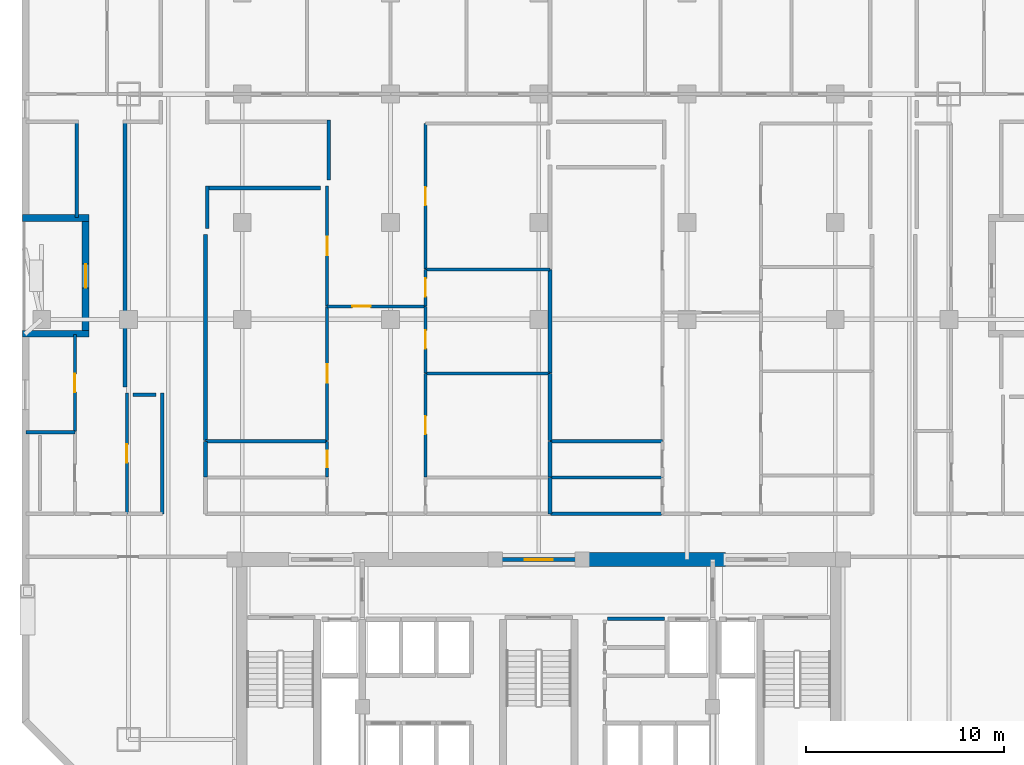
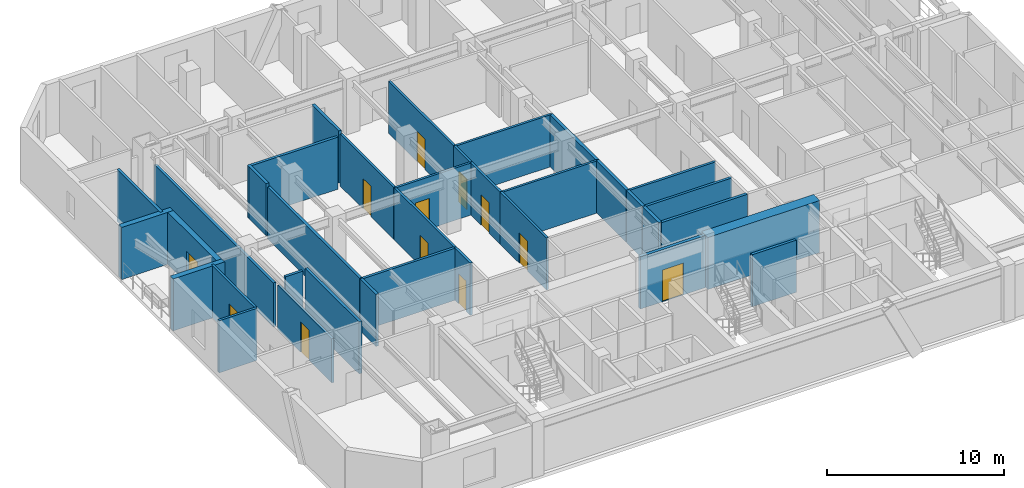
# One storey, part 4 of 10: 36 walls, 12 doors, 12 openings.
"""IFC4 building model written with IfcOpenShell, lengths in metres."""

from ifc_helpers import new_model, si_unit, direction, frame, frame_2d, origin, place, context, subcontext, project, spatial, rectangle, extrude, material, layer, layer_set, type_object, element, fill, save


model = new_model("IFC4")

# Units and contexts
model_context = context("Model", 3, precision=1e-05, world=origin(), true_north=direction((0.0, 1.0)))
body_context = subcontext(model_context, "Body", "Model", "MODEL_VIEW")
ifc_project = project(units=[si_unit("LENGTHUNIT", "METRE"), si_unit("AREAUNIT", "SQUARE_METRE"), si_unit("VOLUMEUNIT", "CUBIC_METRE"), si_unit("PLANEANGLEUNIT", "RADIAN"), si_unit("MASSUNIT", "GRAM", prefix="KILO")], contexts=[model_context])

# Site, building, storey
site_placement = place(None, origin())
site = spatial("IfcSite", under=ifc_project, at=site_placement, CompositionType="ELEMENT")
building_placement = place(site_placement, origin())
building = spatial("IfcBuilding", under=site, at=building_placement, Name="Ventersveld Concourse Tower", CompositionType="ELEMENT")
storey_placement = place(building_placement, frame((0.0, 0.0, 104.14990234375)))
storey = spatial("IfcBuildingStorey", under=building, at=storey_placement, Name="L25", CompositionType="ELEMENT", Elevation=104.14990234375)

# Walls
ifc_material_1 = material(Name="Concrete C60/75", Category="concrete")
ifc_layer_1 = layer(ifc_material_1, 0.699951171875)
ifc_layer_set_1 = layer_set([ifc_layer_1], Name="Concrete C60/75")
wall_type_1 = type_object("IfcWallType", Name="WL-CORE-700", PredefinedType="SHEAR", material=ifc_layer_set_1)
wall_1_placement = place(storey_placement, frame((30.89990234375, 11.449951171875, 0.0), z_axis=(0.0, 0.0, 1.0), x_axis=(1.0, 0.0, 0.0)))
element("IfcWall", 1, at=wall_1_placement, inside=storey, type_object=wall_type_1, Name="L25 Rear Core North Shear Wall NMR", PredefinedType="SHEAR", context=body_context, shape_type="SweptSolid", body=[
    extrude(rectangle(XDim=7.300048828125, YDim=0.699951171875, at=frame_2d((3.64990234375, 0.0))), origin(), (0.0, 0.0, 1.0), 3.60009765625),
])
ifc_material_2 = material(Name="Fire-rated autoclaved aerated masonry blockwork", Category="masonry")
ifc_layer_2 = layer(ifc_material_2, 0.179931640625)
ifc_layer_set_2 = layer_set([ifc_layer_2], Name="Fire-rated autoclaved aerated masonry blockwork")
wall_type_2 = type_object("IfcWallType", Name="WL-CORR-180", PredefinedType="PARTITIONING", material=ifc_layer_set_2)
wall_2_placement = place(storey_placement, frame((32.219970703125, 8.4599609375, 0.0), z_axis=(0.0, 0.0, 1.0), x_axis=(1.0, 0.0, 0.0)))
element("IfcWall", 2, at=wall_2_placement, inside=storey, type_object=wall_type_2, Name="L25 Core Top Wall SP-L25-CBAY1N", PredefinedType="PARTITIONING", context=body_context, shape_type="SweptSolid", body=[
    extrude(rectangle(XDim=2.880126953125, YDim=0.179931640625, at=frame_2d((1.43994140625, 0.0))), origin(), (0.0, 0.0, 1.0), 3.60009765625),
])
wall_3_placement = place(storey_placement, frame((9.7099609375, 13.764892578125, 0.0), z_axis=(0.0, 0.0, 1.0), x_axis=(0.0, 1.0, 0.0)))
element("IfcWall", 3, at=wall_3_placement, inside=storey, type_object=wall_type_2, Name="L25 Interior Partition SP-L25-COR-SP-L25-25NW-KIT", PredefinedType="PARTITIONING", context=body_context, shape_type="SweptSolid", body=[
    extrude(rectangle(XDim=6.110107421875, YDim=0.179931640625, at=frame_2d((3.05517578125, 0.0))), origin(), (0.0, 0.0, 1.0), 3.60009765625),
])
wall_4_placement = place(storey_placement, frame((11.889892578125, 15.635009765625, 0.0), z_axis=(0.0, 0.0, 1.0), x_axis=(0.0, 1.0, 0.0)))
element("IfcWall", 4, at=wall_4_placement, inside=storey, type_object=wall_type_2, Name="L25 Interior Partition SP-L25-COR-SP-L25-25N1-PWDL0", PredefinedType="PARTITIONING", context=body_context, shape_type="SweptSolid", body=[
    extrude(rectangle(XDim=1.800048828125, YDim=0.179931640625, at=frame_2d((0.89990234375, 0.0))), origin(), (0.0, 0.0, 1.0), 3.60009765625),
])
wall_5_placement = place(storey_placement, frame((11.889892578125, 17.465087890625, 0.0), z_axis=(0.0, 0.0, 1.0), x_axis=(0.0, 1.0, 0.0)))
element("IfcWall", 5, at=wall_5_placement, inside=storey, type_object=wall_type_2, Name="L25 Interior Partition SP-L25-COR-SP-L25-25N1-DENL", PredefinedType="PARTITIONING", context=body_context, shape_type="SweptSolid", body=[
    extrude(rectangle(XDim=10.429931640625, YDim=0.179931640625, at=frame_2d((5.21484375, 0.0))), origin(), (0.0, 0.0, 1.0), 3.60009765625),
])
wall_6_placement = place(storey_placement, frame((29.34912109375, 13.77001953125, 0.0), z_axis=(0.0, 0.0, 1.0), x_axis=(1.0, 0.0, 0.0)))
element("IfcWall", 6, at=wall_6_placement, inside=storey, type_object=wall_type_2, Name="L25 Interior Partition SP-L25-COR-SP-L25-25N2-BATH", PredefinedType="PARTITIONING", context=body_context, shape_type="SweptSolid", body=[
    extrude(rectangle(XDim=5.62158203125, YDim=0.179931640625, at=frame_2d((2.810791015625, 0.0))), origin(), (0.0, 0.0, 1.0), 3.60009765625),
])
wall_7_placement = place(storey_placement, frame((5.372314453125, 28.760009765625, 0.0), z_axis=(0.0, 0.0, 1.0), x_axis=(0.0, 1.0, 0.0)))
element("IfcWall", 7, at=wall_7_placement, inside=storey, type_object=wall_type_2, Name="L25 Room Enclosure Wall SP-L25-25NW-LIV", PredefinedType="PARTITIONING", context=body_context, shape_type="SweptSolid", body=[
    extrude(rectangle(XDim=4.925048828125, YDim=0.179931640625, at=frame_2d((2.46240234375, 0.0))), origin(), (0.0, 0.0, 1.0), 3.60009765625),
])
wall_8_placement = place(storey_placement, frame((7.818359375, 33.68505859375, 0.0), z_axis=(0.0, 0.0, 1.0), x_axis=(0.0, -1.0, 0.0)))
element("IfcWall", 8, at=wall_8_placement, inside=storey, type_object=wall_type_2, Name="L25 Room Enclosure Wall SP-L25-25NW-LIV", PredefinedType="PARTITIONING", context=body_context, shape_type="SweptSolid", body=[
    extrude(rectangle(XDim=13.4951171875, YDim=0.179931640625, at=frame_2d((6.74755859375, 0.0))), origin(), (0.0, 0.0, 1.0), 3.0556640625),
])
wall_9_placement = place(storey_placement, frame((8.2333984375, 19.780029296875, 0.0), z_axis=(0.0, 0.0, 1.0), x_axis=(1.0, 0.0, 0.0)))
element("IfcWall", 9, at=wall_9_placement, inside=storey, type_object=wall_type_2, Name="L25 Room Enclosure Wall SP-L25-25NW-KIT", PredefinedType="PARTITIONING", context=body_context, shape_type="SweptSolid", body=[
    extrude(rectangle(XDim=1.151611328125, YDim=0.179931640625, at=frame_2d((0.57568359375, 0.0))), origin(), (0.0, 0.0, 1.0), 3.60009765625),
])
wall_10_placement = place(storey_placement, frame((18.13037109375, 30.65966796875, 0.0), z_axis=(0.0, 0.0, 1.0), x_axis=(0.0, 1.0, 0.0)))
element("IfcWall", 10, at=wall_10_placement, inside=storey, type_object=wall_type_2, Name="L25 Room Enclosure Wall SP-L25-25N1-LIV", PredefinedType="PARTITIONING", context=body_context, shape_type="SweptSolid", body=[
    extrude(rectangle(XDim=3.025390625, YDim=0.179931640625, at=frame_2d((1.5126953125, 0.0))), origin(), (0.0, 0.0, 1.0), 3.60009765625),
])
wall_11_placement = place(storey_placement, frame((11.885009765625, 30.249755859375, 0.0), z_axis=(0.0, 0.0, 1.0), x_axis=(1.0, 0.0, 0.0)))
element("IfcWall", 11, at=wall_11_placement, inside=storey, type_object=wall_type_2, Name="L25 Room Enclosure Wall SP-L25-25N1-DENL", PredefinedType="PARTITIONING", context=body_context, shape_type="SweptSolid", body=[
    extrude(rectangle(XDim=5.830322265625, YDim=0.179931640625, at=frame_2d((2.9150390625, 0.0))), origin(), (0.0, 0.0, 1.0), 3.60009765625),
])
wall_12_placement = place(storey_placement, frame((11.97998046875, 28.2099609375, 0.0), z_axis=(0.0, 0.0, 1.0), x_axis=(0.0, 1.0, 0.0)))
element("IfcWall", 12, at=wall_12_placement, inside=storey, type_object=wall_type_2, Name="L25 Room Enclosure Wall SP-L25-25N1-DENL", PredefinedType="PARTITIONING", context=body_context, shape_type="SweptSolid", body=[
    extrude(rectangle(XDim=2.134765625, YDim=0.179931640625, at=frame_2d((1.0673828125, 0.0))), origin(), (0.0, 0.0, 1.0), 3.60009765625),
])
ifc_layer_3 = layer(ifc_material_2, 0.199951171875)
ifc_layer_set_3 = layer_set([ifc_layer_3], Name="Fire-rated autoclaved aerated masonry blockwork")
wall_type_3 = type_object("IfcWallType", Name="WL-DEMISE-200", PredefinedType="PARTITIONING", material=ifc_layer_set_3)
wall_13_placement = place(storey_placement, frame((29.314208984375, 13.764892578125, 0.0), z_axis=(0.0, 0.0, 1.0), x_axis=(0.0, 1.0, 0.0)))
element("IfcWall", 13, at=wall_13_placement, inside=storey, type_object=wall_type_3, Name="L25 Interior Partition SP-L25-25N1-KIT-SP-L25-25N2-BATH", PredefinedType="PARTITIONING", context=body_context, shape_type="SweptSolid", body=[
    extrude(rectangle(XDim=1.840087890625, YDim=0.199951171875, at=frame_2d((0.919921875, 0.0))), origin(), (0.0, 0.0, 1.0), 3.60009765625),
])
wall_14_placement = place(storey_placement, frame((29.314208984375, 15.635009765625, 0.0), z_axis=(0.0, 0.0, 1.0), x_axis=(0.0, 1.0, 0.0)))
element("IfcWall", 14, at=wall_14_placement, inside=storey, type_object=wall_type_3, Name="L25 Interior Partition SP-L25-25N1-DENR-SP-L25-25N2-PWDL0", PredefinedType="PARTITIONING", context=body_context, shape_type="SweptSolid", body=[
    extrude(rectangle(XDim=1.800048828125, YDim=0.199951171875, at=frame_2d((0.89990234375, 0.0))), origin(), (0.0, 0.0, 1.0), 3.60009765625),
])
wall_15_placement = place(storey_placement, frame((29.314208984375, 17.465087890625, 0.0), z_axis=(0.0, 0.0, 1.0), x_axis=(0.0, 1.0, 0.0)))
element("IfcWall", 15, at=wall_15_placement, inside=storey, type_object=wall_type_3, Name="L25 Interior Partition SP-L25-25N1-DENR-SP-L25-25N2-DENL", PredefinedType="PARTITIONING", context=body_context, shape_type="SweptSolid", body=[
    extrude(rectangle(XDim=3.403564453125, YDim=0.199951171875, at=frame_2d((1.70166015625, 0.0))), origin(), (0.0, 0.0, 1.0), 3.60009765625),
])
wall_16_placement = place(storey_placement, frame((29.314208984375, 20.898681640625, 0.0), z_axis=(0.0, 0.0, 1.0), x_axis=(0.0, 1.0, 0.0)))
element("IfcWall", 16, at=wall_16_placement, inside=storey, type_object=wall_type_3, Name="L25 Interior Partition SP-L25-25N1-DENS-SP-L25-25N2-DENL", PredefinedType="PARTITIONING", context=body_context, shape_type="SweptSolid", body=[
    extrude(rectangle(XDim=5.233642578125, YDim=0.199951171875, at=frame_2d((2.61669921875, 0.0))), origin(), (0.0, 0.0, 1.0), 3.60009765625),
])

# Wall, opening, door
ifc_layer_4 = layer(ifc_material_2, 0.219970703125)
ifc_layer_set_4 = layer_set([ifc_layer_4], Name="Fire-rated autoclaved aerated masonry blockwork")
wall_type_4 = type_object("IfcWallType", Name="WL-HOIST-220", PredefinedType="SOLIDWALL", material=ifc_layer_set_4)
wall_17_placement = place(storey_placement, frame((26.6298828125, 11.449951171875, 0.0), z_axis=(0.0, 0.0, 1.0), x_axis=(1.0, 0.0, 0.0)))
wall_17 = element("IfcWall", 17, at=wall_17_placement, inside=storey, type_object=wall_type_4, Name="L25 Core North Fire Portal PLOB-OUT", PredefinedType="SOLIDWALL", context=body_context, shape_type="SweptSolid", body=[
    extrude(rectangle(XDim=4.240234375, YDim=0.219970703125, at=frame_2d((2.1201171875, 0.0))), origin(), (0.0, 0.0, 1.0), 3.60009765625),
])
opening_1_placement = place(wall_17_placement, frame((1.419921875, 0.0, 0.0)))
opening_1 = element("IfcOpeningElement", 18, at=opening_1_placement, cuts=wall_17, Name="Opening FD4", PredefinedType="OPENING", context=body_context, shape_type="SweptSolid", body=[
    extrude(rectangle(XDim=1.39990234375, YDim=2.199951171875, at=frame_2d((0.699951171875, 1.10009765625))), frame((0.0, 0.1201171875, 0.0), z_axis=(0.0, -1.0, 0.0), x_axis=(1.0, 0.0, 0.0)), (0.0, 0.0, 1.0), 0.239990234375),
])
ifc_material_3 = material(Name="Galvanised painted steel", Category="steel")
door_type_1 = type_object("IfcDoorType", Name="DR-PLANT-140", OperationType="DOUBLE_DOOR_SINGLE_SWING", PredefinedType="DOOR", material=ifc_material_3)
door_1_placement = place(opening_1_placement, origin())
door_1 = element("IfcDoor", 19, at=door_1_placement, inside=storey, type_object=door_type_1, Name="L25 Core Lobby Fire Door PLOB-OUT (FD-L25-1215)", OperationType="DOUBLE_DOOR_SINGLE_SWING", OverallHeight=2.199951171875, OverallWidth=1.39990234375, PredefinedType="DOOR", context=body_context, shape_type="SweptSolid", body=[
    extrude(rectangle(XDim=1.39990234375, YDim=2.199951171875, at=frame_2d((0.699951171875, 1.10009765625))), frame((0.0, 0.02490234375, 0.0), z_axis=(0.0, -1.0, 0.0), x_axis=(1.0, 0.0, 0.0)), (0.0, 0.0, 1.0), 0.050048828125),
])
fill(opening_1, door_1)

ifc_material_4 = material(Name="Autoclaved aerated masonry blockwork", Category="masonry")
ifc_layer_5 = layer(ifc_material_4, 0.14990234375)
ifc_layer_set_5 = layer_set([ifc_layer_5], Name="Autoclaved aerated masonry blockwork")
wall_type_5 = type_object("IfcWallType", Name="WL-INT-150", PredefinedType="PARTITIONING", material=ifc_layer_set_5)
wall_18_placement = place(storey_placement, frame((5.282470703125, 17.931396484375, 0.0), z_axis=(0.0, 0.0, 1.0), x_axis=(0.0, 1.0, 0.0)))
wall_18 = element("IfcWall", 20, at=wall_18_placement, inside=storey, type_object=wall_type_5, Name="L25 Interior Partition SP-L25-25NW-LIV-SP-L25-25NW-MEDL0", PredefinedType="PARTITIONING", context=body_context, shape_type="SweptSolid", body=[
    extrude(rectangle(XDim=4.90869140625, YDim=0.14990234375, at=frame_2d((2.454345703125, 0.0))), origin(), (0.0, 0.0, 1.0), 3.60009765625),
])
opening_2_placement = place(wall_18_placement, frame((1.994384765625, 0.0, 0.0)))
opening_2 = element("IfcOpeningElement", 21, at=opening_2_placement, cuts=wall_18, Name="Opening ID1", PredefinedType="OPENING", context=body_context, shape_type="SweptSolid", body=[
    extrude(rectangle(XDim=0.919921875, YDim=2.10009765625, at=frame_2d((0.4599609375, 1.050048828125))), frame((0.0, 0.0849609375, 0.0), z_axis=(0.0, -1.0, 0.0), x_axis=(1.0, 0.0, 0.0)), (0.0, 0.0, 1.0), 0.169921875),
])
ifc_material_5 = material(Name="Solid-core hardwood veneer timber", Category="wood")
door_type_2 = type_object("IfcDoorType", Name="DR-ROOM-092", OperationType="NOTDEFINED", PredefinedType="DOOR", material=ifc_material_5)
door_2_placement = place(opening_2_placement, origin())
door_2 = element("IfcDoor", 22, at=door_2_placement, inside=storey, type_object=door_type_2, Name="L25 Interior Door SP-L25-25NW-LIV to SP-L25-25NW-MEDL0 (D-L25-1227)", OperationType="SINGLE_SWING_LEFT", OverallHeight=2.10009765625, OverallWidth=0.919921875, PredefinedType="DOOR", context=body_context, shape_type="SweptSolid", body=[
    extrude(rectangle(XDim=0.919921875, YDim=2.10009765625, at=frame_2d((0.4599609375, 1.050048828125))), frame((0.0, 0.02490234375, 0.0), z_axis=(0.0, -1.0, 0.0), x_axis=(1.0, 0.0, 0.0)), (0.0, 0.0, 1.0), 0.050048828125),
])
fill(opening_2, door_2)

wall_19_placement = place(storey_placement, frame((7.908447265625, 13.764892578125, 0.0), z_axis=(0.0, 0.0, 1.0), x_axis=(0.0, 1.0, 0.0)))
wall_19 = element("IfcWall", 23, at=wall_19_placement, inside=storey, type_object=wall_type_5, Name="L25 Interior Partition SP-L25-25NW-LIV-SP-L25-25NW-KIT", PredefinedType="PARTITIONING", context=body_context, shape_type="SweptSolid", body=[
    extrude(rectangle(XDim=6.110107421875, YDim=0.14990234375, at=frame_2d((3.05517578125, 0.0))), origin(), (0.0, 0.0, 1.0), 3.0556640625),
])
opening_3_placement = place(wall_19_placement, frame((2.594970703125, 0.0, 0.0)))
opening_3 = element("IfcOpeningElement", 24, at=opening_3_placement, cuts=wall_19, Name="Opening ID1", PredefinedType="OPENING", context=body_context, shape_type="SweptSolid", body=[
    extrude(rectangle(XDim=0.919921875, YDim=2.10009765625, at=frame_2d((0.4599609375, 1.050048828125))), frame((0.0, 0.0849609375, 0.0), z_axis=(0.0, -1.0, 0.0), x_axis=(1.0, 0.0, 0.0)), (0.0, 0.0, 1.0), 0.169921875),
])
door_3_placement = place(opening_3_placement, origin())
door_3 = element("IfcDoor", 25, at=door_3_placement, inside=storey, type_object=door_type_2, Name="L25 Interior Door SP-L25-25NW-LIV to SP-L25-25NW-KIT (D-L25-1228)", OperationType="SINGLE_SWING_RIGHT", OverallHeight=2.10009765625, OverallWidth=0.919921875, PredefinedType="DOOR", context=body_context, shape_type="SweptSolid", body=[
    extrude(rectangle(XDim=0.919921875, YDim=2.10009765625, at=frame_2d((0.4599609375, 1.050048828125))), frame((0.0, 0.02490234375, 0.0), z_axis=(0.0, -1.0, 0.0), x_axis=(1.0, 0.0, 0.0)), (0.0, 0.0, 1.0), 0.050048828125),
])
fill(opening_3, door_3)

wall_20_placement = place(storey_placement, frame((18.035400390625, 24.255615234375, 0.0), z_axis=(0.0, 0.0, 1.0), x_axis=(1.0, 0.0, 0.0)))
wall_20 = element("IfcWall", 26, at=wall_20_placement, inside=storey, type_object=wall_type_5, Name="L25 Interior Partition SP-L25-25N1-FOY-SP-L25-25N1-LIV", PredefinedType="PARTITIONING", context=body_context, shape_type="SweptSolid", body=[
    extrude(rectangle(XDim=4.989990234375, YDim=0.14990234375, at=frame_2d((2.4951171875, 0.0))), origin(), (0.0, 0.0, 1.0), 3.60009765625),
])
opening_4_placement = place(wall_20_placement, frame((1.28662109375, 0.0, 0.0)))
opening_4 = element("IfcOpeningElement", 27, at=opening_4_placement, cuts=wall_20, Name="Opening ID1", PredefinedType="OPENING", context=body_context, shape_type="SweptSolid", body=[
    extrude(rectangle(XDim=0.919921875, YDim=2.10009765625, at=frame_2d((0.4599609375, 1.050048828125))), frame((0.0, 0.0849609375, 0.0), z_axis=(0.0, -1.0, 0.0), x_axis=(1.0, 0.0, 0.0)), (0.0, 0.0, 1.0), 0.169921875),
])
door_4_placement = place(opening_4_placement, origin())
door_4 = element("IfcDoor", 28, at=door_4_placement, inside=storey, type_object=door_type_2, Name="L25 Interior Door SP-L25-25N1-FOY to SP-L25-25N1-LIV (D-L25-1236)", OperationType="SINGLE_SWING_RIGHT", OverallHeight=2.10009765625, OverallWidth=0.919921875, PredefinedType="DOOR", context=body_context, shape_type="SweptSolid", body=[
    extrude(rectangle(XDim=0.919921875, YDim=2.10009765625, at=frame_2d((0.4599609375, 1.050048828125))), frame((0.0, 0.02490234375, 0.0), z_axis=(0.0, -1.0, 0.0), x_axis=(1.0, 0.0, 0.0)), (0.0, 0.0, 1.0), 0.050048828125),
])
fill(opening_4, door_4)

wall_21_placement = place(storey_placement, frame((18.040283203125, 17.465087890625, 0.0), z_axis=(0.0, 0.0, 1.0), x_axis=(0.0, 1.0, 0.0)))
wall_21 = element("IfcWall", 29, at=wall_21_placement, inside=storey, type_object=wall_type_5, Name="L25 Interior Partition SP-L25-25N1-FOY-SP-L25-25N1-DENL", PredefinedType="PARTITIONING", context=body_context, shape_type="SweptSolid", body=[
    extrude(rectangle(XDim=6.79541015625, YDim=0.14990234375, at=frame_2d((3.397705078125, 0.0))), origin(), (0.0, 0.0, 1.0), 3.60009765625),
])
opening_5_placement = place(wall_21_placement, frame((2.937744140625, 0.0, 0.0)))
opening_5 = element("IfcOpeningElement", 30, at=opening_5_placement, cuts=wall_21, Name="Opening ID1", PredefinedType="OPENING", context=body_context, shape_type="SweptSolid", body=[
    extrude(rectangle(XDim=0.919921875, YDim=2.10009765625, at=frame_2d((0.4599609375, 1.050048828125))), frame((0.0, 0.0849609375, 0.0), z_axis=(0.0, -1.0, 0.0), x_axis=(1.0, 0.0, 0.0)), (0.0, 0.0, 1.0), 0.169921875),
])
door_5_placement = place(opening_5_placement, origin())
door_5 = element("IfcDoor", 31, at=door_5_placement, inside=storey, type_object=door_type_2, Name="L25 Interior Door SP-L25-25N1-FOY to SP-L25-25N1-DENL (D-L25-1239)", OperationType="SINGLE_SWING_LEFT", OverallHeight=2.10009765625, OverallWidth=0.919921875, PredefinedType="DOOR", context=body_context, shape_type="SweptSolid", body=[
    extrude(rectangle(XDim=0.919921875, YDim=2.10009765625, at=frame_2d((0.4599609375, 1.050048828125))), frame((0.0, 0.02490234375, 0.0), z_axis=(0.0, -1.0, 0.0), x_axis=(1.0, 0.0, 0.0)), (0.0, 0.0, 1.0), 0.050048828125),
])
fill(opening_5, door_5)

wall_22_placement = place(storey_placement, frame((23.020263671875, 15.635009765625, 0.0), z_axis=(0.0, 0.0, 1.0), x_axis=(0.0, 1.0, 0.0)))
wall_22 = element("IfcWall", 32, at=wall_22_placement, inside=storey, type_object=wall_type_5, Name="L25 Interior Partition SP-L25-25N1-FOY-SP-L25-25N1-DENR", PredefinedType="PARTITIONING", context=body_context, shape_type="SweptSolid", body=[
    extrude(rectangle(XDim=5.233642578125, YDim=0.14990234375, at=frame_2d((2.61669921875, 0.0))), origin(), (0.0, 0.0, 1.0), 3.60009765625),
])
opening_6_placement = place(wall_22_placement, frame((2.156982421875, 0.0, 0.0)))
opening_6 = element("IfcOpeningElement", 33, at=opening_6_placement, cuts=wall_22, Name="Opening ID1", PredefinedType="OPENING", context=body_context, shape_type="SweptSolid", body=[
    extrude(rectangle(XDim=0.919921875, YDim=2.10009765625, at=frame_2d((0.4599609375, 1.050048828125))), frame((0.0, 0.0849609375, 0.0), z_axis=(0.0, -1.0, 0.0), x_axis=(1.0, 0.0, 0.0)), (0.0, 0.0, 1.0), 0.169921875),
])
door_6_placement = place(opening_6_placement, origin())
door_6 = element("IfcDoor", 34, at=door_6_placement, inside=storey, type_object=door_type_2, Name="L25 Interior Door SP-L25-25N1-FOY to SP-L25-25N1-DENR (D-L25-1241)", OperationType="SINGLE_SWING_LEFT", OverallHeight=2.10009765625, OverallWidth=0.919921875, PredefinedType="DOOR", context=body_context, shape_type="SweptSolid", body=[
    extrude(rectangle(XDim=0.919921875, YDim=2.10009765625, at=frame_2d((0.4599609375, 1.050048828125))), frame((0.0, 0.02490234375, 0.0), z_axis=(0.0, -1.0, 0.0), x_axis=(1.0, 0.0, 0.0)), (0.0, 0.0, 1.0), 0.050048828125),
])
fill(opening_6, door_6)

wall_23_placement = place(storey_placement, frame((23.020263671875, 20.898681640625, 0.0), z_axis=(0.0, 0.0, 1.0), x_axis=(0.0, 1.0, 0.0)))
wall_23 = element("IfcWall", 35, at=wall_23_placement, inside=storey, type_object=wall_type_5, Name="L25 Interior Partition SP-L25-25N1-FOY-SP-L25-25N1-DENS", PredefinedType="PARTITIONING", context=body_context, shape_type="SweptSolid", body=[
    extrude(rectangle(XDim=3.36181640625, YDim=0.14990234375, at=frame_2d((1.680908203125, 0.0))), origin(), (0.0, 0.0, 1.0), 3.60009765625),
])
opening_7_placement = place(wall_23_placement, frame((1.220947265625, 0.0, 0.0)))
opening_7 = element("IfcOpeningElement", 36, at=opening_7_placement, cuts=wall_23, Name="Opening ID1", PredefinedType="OPENING", context=body_context, shape_type="SweptSolid", body=[
    extrude(rectangle(XDim=0.919921875, YDim=2.10009765625, at=frame_2d((0.4599609375, 1.050048828125))), frame((0.0, 0.0849609375, 0.0), z_axis=(0.0, -1.0, 0.0), x_axis=(1.0, 0.0, 0.0)), (0.0, 0.0, 1.0), 0.169921875),
])
door_7_placement = place(opening_7_placement, origin())
door_7 = element("IfcDoor", 37, at=door_7_placement, inside=storey, type_object=door_type_2, Name="L25 Interior Door SP-L25-25N1-FOY to SP-L25-25N1-DENS (D-L25-1242)", OperationType="SINGLE_SWING_RIGHT", OverallHeight=2.10009765625, OverallWidth=0.919921875, PredefinedType="DOOR", context=body_context, shape_type="SweptSolid", body=[
    extrude(rectangle(XDim=0.919921875, YDim=2.10009765625, at=frame_2d((0.4599609375, 1.050048828125))), frame((0.0, 0.02490234375, 0.0), z_axis=(0.0, -1.0, 0.0), x_axis=(1.0, 0.0, 0.0)), (0.0, 0.0, 1.0), 0.050048828125),
])
fill(opening_7, door_7)

wall_24_placement = place(storey_placement, frame((18.040283203125, 24.29052734375, 0.0), z_axis=(0.0, 0.0, 1.0), x_axis=(0.0, 1.0, 0.0)))
wall_24 = element("IfcWall", 38, at=wall_24_placement, inside=storey, type_object=wall_type_5, Name="L25 Interior Partition SP-L25-25N1-LIV-SP-L25-25N1-DENL", PredefinedType="PARTITIONING", context=body_context, shape_type="SweptSolid", body=[
    extrude(rectangle(XDim=6.05419921875, YDim=0.14990234375, at=frame_2d((3.027099609375, 0.0))), origin(), (0.0, 0.0, 1.0), 3.60009765625),
])
opening_8_placement = place(wall_24_placement, frame((2.567138671875, 0.0, 0.0)))
opening_8 = element("IfcOpeningElement", 39, at=opening_8_placement, cuts=wall_24, Name="Opening ID1", PredefinedType="OPENING", context=body_context, shape_type="SweptSolid", body=[
    extrude(rectangle(XDim=0.919921875, YDim=2.10009765625, at=frame_2d((0.4599609375, 1.050048828125))), frame((0.0, 0.0849609375, 0.0), z_axis=(0.0, -1.0, 0.0), x_axis=(1.0, 0.0, 0.0)), (0.0, 0.0, 1.0), 0.169921875),
])
door_8_placement = place(opening_8_placement, origin())
door_8 = element("IfcDoor", 40, at=door_8_placement, inside=storey, type_object=door_type_2, Name="L25 Interior Door SP-L25-25N1-LIV to SP-L25-25N1-DENL (D-L25-1243)", OperationType="SINGLE_SWING_LEFT", OverallHeight=2.10009765625, OverallWidth=0.919921875, PredefinedType="DOOR", context=body_context, shape_type="SweptSolid", body=[
    extrude(rectangle(XDim=0.919921875, YDim=2.10009765625, at=frame_2d((0.4599609375, 1.050048828125))), frame((0.0, 0.02490234375, 0.0), z_axis=(0.0, -1.0, 0.0), x_axis=(1.0, 0.0, 0.0)), (0.0, 0.0, 1.0), 0.050048828125),
])
fill(opening_8, door_8)

wall_25_placement = place(storey_placement, frame((23.020263671875, 24.29052734375, 0.0), z_axis=(0.0, 0.0, 1.0), x_axis=(0.0, 1.0, 0.0)))
wall_25 = element("IfcWall", 41, at=wall_25_placement, inside=storey, type_object=wall_type_5, Name="L25 Interior Partition SP-L25-25N1-LIV-SP-L25-25N1-DENS", PredefinedType="PARTITIONING", context=body_context, shape_type="SweptSolid", body=[
    extrude(rectangle(XDim=1.841796875, YDim=0.14990234375, at=frame_2d((0.9208984375, 0.0))), origin(), (0.0, 0.0, 1.0), 3.60009765625),
])
opening_9_placement = place(wall_25_placement, frame((0.4609375, 0.0, 0.0)))
opening_9 = element("IfcOpeningElement", 42, at=opening_9_placement, cuts=wall_25, Name="Opening ID1", PredefinedType="OPENING", context=body_context, shape_type="SweptSolid", body=[
    extrude(rectangle(XDim=0.919921875, YDim=2.10009765625, at=frame_2d((0.4599609375, 1.050048828125))), frame((0.0, 0.0849609375, 0.0), z_axis=(0.0, -1.0, 0.0), x_axis=(1.0, 0.0, 0.0)), (0.0, 0.0, 1.0), 0.169921875),
])
door_9_placement = place(opening_9_placement, origin())
door_9 = element("IfcDoor", 43, at=door_9_placement, inside=storey, type_object=door_type_2, Name="L25 Interior Door SP-L25-25N1-LIV to SP-L25-25N1-DENS (D-L25-1244)", OperationType="SINGLE_SWING_RIGHT", OverallHeight=2.10009765625, OverallWidth=0.919921875, PredefinedType="DOOR", context=body_context, shape_type="SweptSolid", body=[
    extrude(rectangle(XDim=0.919921875, YDim=2.10009765625, at=frame_2d((0.4599609375, 1.050048828125))), frame((0.0, 0.02490234375, 0.0), z_axis=(0.0, -1.0, 0.0), x_axis=(1.0, 0.0, 0.0)), (0.0, 0.0, 1.0), 0.050048828125),
])
fill(opening_9, door_9)

wall_26_placement = place(storey_placement, frame((23.020263671875, 26.162353515625, 0.0), z_axis=(0.0, 0.0, 1.0), x_axis=(0.0, 1.0, 0.0)))
wall_26 = element("IfcWall", 44, at=wall_26_placement, inside=storey, type_object=wall_type_5, Name="L25 Interior Partition SP-L25-25N1-LIV-SP-L25-25N1-DENS2", PredefinedType="PARTITIONING", context=body_context, shape_type="SweptSolid", body=[
    extrude(rectangle(XDim=7.342529296875, YDim=0.14990234375, at=frame_2d((3.67138671875, 0.0))), origin(), (0.0, 0.0, 1.0), 3.60009765625),
])
opening_10_placement = place(wall_26_placement, frame((3.211181640625, 0.0, 0.0)))
opening_10 = element("IfcOpeningElement", 45, at=opening_10_placement, cuts=wall_26, Name="Opening ID1", PredefinedType="OPENING", context=body_context, shape_type="SweptSolid", body=[
    extrude(rectangle(XDim=0.919921875, YDim=2.10009765625, at=frame_2d((0.4599609375, 1.050048828125))), frame((0.0, 0.0849609375, 0.0), z_axis=(0.0, -1.0, 0.0), x_axis=(1.0, 0.0, 0.0)), (0.0, 0.0, 1.0), 0.169921875),
])
door_10_placement = place(opening_10_placement, origin())
door_10 = element("IfcDoor", 46, at=door_10_placement, inside=storey, type_object=door_type_2, Name="L25 Interior Door SP-L25-25N1-LIV to SP-L25-25N1-DENS2 (D-L25-1245)", OperationType="SINGLE_SWING_LEFT", OverallHeight=2.10009765625, OverallWidth=0.919921875, PredefinedType="DOOR", context=body_context, shape_type="SweptSolid", body=[
    extrude(rectangle(XDim=0.919921875, YDim=2.10009765625, at=frame_2d((0.4599609375, 1.050048828125))), frame((0.0, 0.02490234375, 0.0), z_axis=(0.0, -1.0, 0.0), x_axis=(1.0, 0.0, 0.0)), (0.0, 0.0, 1.0), 0.050048828125),
])
fill(opening_10, door_10)

# Walls
for number, where, z_axis, x_axis, name in (
    (47, (23.015380859375, 20.86376953125, 0.0), (0.0, 0.0, 1.0), (1.0, 0.0, 0.0), "L25 Interior Partition SP-L25-25N1-DENR-SP-L25-25N1-DENS"),
    (48, (23.015380859375, 26.12744140625, 0.0), (0.0, 0.0, 1.0), (1.0, 0.0, 0.0), "L25 Interior Partition SP-L25-25N1-DENS-SP-L25-25N1-DENS2"),
):
    element("IfcWall", number, at=place(storey_placement, frame(where, z_axis=z_axis, x_axis=x_axis)), inside=storey, type_object=wall_type_5, Name=name, PredefinedType="PARTITIONING", context=body_context, shape_type="SweptSolid", body=[
        extrude(rectangle(XDim=6.3037109375, YDim=0.14990234375, at=frame_2d((3.15185546875, 0.0))), origin(), (0.0, 0.0, 1.0), 3.60009765625),
    ])
ifc_material_6 = material(Name="Precast concrete C45/55", Category="concrete")
ifc_layer_6 = layer(ifc_material_6, 0.35009765625)
ifc_layer_set_6 = layer_set([ifc_layer_6], Name="Precast concrete C45/55")
wall_type_6 = type_object("IfcWallType", Name="WL-PREC-350", PredefinedType="SOLIDWALL", material=ifc_layer_set_6)
wall_27_placement = place(storey_placement, frame((2.639892578125, 28.72509765625, 0.0), z_axis=(0.0, 0.0, 1.0), x_axis=(1.0, 0.0, 0.0)))
element("IfcWall", 49, at=wall_27_placement, inside=storey, type_object=wall_type_6, Name="L25 Highveld Precast Facade Wall E12", PredefinedType="SOLIDWALL", context=body_context, shape_type="SweptSolid", body=[
    extrude(rectangle(XDim=3.360107421875, YDim=0.35009765625, at=frame_2d((1.68017578125, 0.0))), origin(), (0.0, 0.0, 1.0), 3.60009765625),
])

# Wall, opening, door
wall_28_placement = place(storey_placement, frame((5.824951171875, 28.550048828125, 0.0), z_axis=(0.0, 0.0, 1.0), x_axis=(0.0, -1.0, 0.0)))
wall_28 = element("IfcWall", 50, at=wall_28_placement, inside=storey, type_object=wall_type_6, Name="L25 Highveld Precast Facade Wall E13", PredefinedType="SOLIDWALL", context=body_context, shape_type="SweptSolid", body=[
    extrude(rectangle(XDim=5.5, YDim=0.35009765625, at=frame_2d((2.75, 0.0))), origin(), (0.0, 0.0, 1.0), 3.60009765625),
])
opening_11_placement = place(wall_28_placement, frame((2.14990234375, 0.0, 0.0)))
opening_11 = element("IfcOpeningElement", 51, at=opening_11_placement, cuts=wall_28, Name="Opening TD1", PredefinedType="OPENING", context=body_context, shape_type="SweptSolid", body=[
    extrude(rectangle(XDim=1.199951171875, YDim=2.199951171875, at=frame_2d((0.60009765625, 1.10009765625))), frame((0.0, 0.18505859375, 0.0), z_axis=(0.0, -1.0, 0.0), x_axis=(1.0, 0.0, 0.0)), (0.0, 0.0, 1.0), 0.3701171875),
])
ifc_material_7 = material(Name="Anodised aluminium EN AW-6063-T6", Category="aluminium")
door_type_3 = type_object("IfcDoorType", Name="DR-TERR-120", OperationType="NOTDEFINED", PredefinedType="DOOR", material=ifc_material_7)
door_11_placement = place(opening_11_placement, frame((1.199951171875, 0.0, 0.0), z_axis=(0.0, 0.0, 1.0), x_axis=(-1.0, 0.0, 0.0)))
door_11 = element("IfcDoor", 52, at=door_11_placement, inside=storey, type_object=door_type_3, Name="L25 Stepped Valley Terrace Door TD-L25-01", OperationType="SINGLE_SWING_RIGHT", OverallHeight=2.199951171875, OverallWidth=1.199951171875, PredefinedType="DOOR", context=body_context, shape_type="SweptSolid", body=[
    extrude(rectangle(XDim=1.199951171875, YDim=2.199951171875, at=frame_2d((0.60009765625, 1.10009765625))), frame((0.0, 0.02490234375, 0.0), z_axis=(0.0, -1.0, 0.0), x_axis=(1.0, 0.0, 0.0)), (0.0, 0.0, 1.0), 0.050048828125),
])
fill(opening_11, door_11)

# Walls
wall_29_placement = place(storey_placement, frame((6.0, 22.875, 0.0), z_axis=(0.0, 0.0, 1.0), x_axis=(-1.0, 0.0, 0.0)))
element("IfcWall", 53, at=wall_29_placement, inside=storey, type_object=wall_type_6, Name="L25 Highveld Precast Facade Wall E14", PredefinedType="SOLIDWALL", context=body_context, shape_type="SweptSolid", body=[
    extrude(rectangle(XDim=3.360107421875, YDim=0.35009765625, at=frame_2d((1.68017578125, 0.0))), origin(), (0.0, 0.0, 1.0), 3.60009765625),
])
ifc_layer_7 = layer(ifc_material_4, 0.1650390625)
ifc_layer_set_7 = layer_set([ifc_layer_7], Name="Autoclaved aerated masonry blockwork")
wall_type_7 = type_object("IfcWallType", Name="WL-WET-165", PredefinedType="PLUMBINGWALL", material=ifc_layer_set_7)
wall_30_placement = place(storey_placement, frame((2.81005859375, 17.896484375, 0.0), z_axis=(0.0, 0.0, 1.0), x_axis=(1.0, 0.0, 0.0)))
element("IfcWall", 54, at=wall_30_placement, inside=storey, type_object=wall_type_7, Name="L25 Interior Partition SP-L25-25NW-BATH-SP-L25-25NW-MEDL0", PredefinedType="PLUMBINGWALL", context=body_context, shape_type="SweptSolid", body=[
    extrude(rectangle(XDim=2.477294921875, YDim=0.1650390625, at=frame_2d((1.23876953125, 0.0))), origin(), (0.0, 0.0, 1.0), 3.60009765625),
])

# Wall, opening, door
wall_31_placement = place(storey_placement, frame((18.040283203125, 15.635009765625, 0.0), z_axis=(0.0, 0.0, 1.0), x_axis=(0.0, 1.0, 0.0)))
wall_31 = element("IfcWall", 55, at=wall_31_placement, inside=storey, type_object=wall_type_7, Name="L25 Interior Partition SP-L25-25N1-FOY-SP-L25-25N1-PWDL0", PredefinedType="PLUMBINGWALL", context=body_context, shape_type="SweptSolid", body=[
    extrude(rectangle(XDim=1.800048828125, YDim=0.1650390625, at=frame_2d((0.89990234375, 0.0))), origin(), (0.0, 0.0, 1.0), 3.60009765625),
])
opening_12_placement = place(wall_31_placement, frame((0.47509765625, 0.0, 0.0)))
opening_12 = element("IfcOpeningElement", 56, at=opening_12_placement, cuts=wall_31, Name="Opening ID2", PredefinedType="OPENING", context=body_context, shape_type="SweptSolid", body=[
    extrude(rectangle(XDim=0.85009765625, YDim=2.10009765625, at=frame_2d((0.425048828125, 1.050048828125))), frame((0.0, 0.092529296875, 0.0), z_axis=(0.0, -1.0, 0.0), x_axis=(1.0, 0.0, 0.0)), (0.0, 0.0, 1.0), 0.18505859375),
])
door_type_4 = type_object("IfcDoorType", Name="DR-BATH-085", OperationType="NOTDEFINED", PredefinedType="DOOR", material=ifc_material_5)
door_12_placement = place(opening_12_placement, origin())
door_12 = element("IfcDoor", 57, at=door_12_placement, inside=storey, type_object=door_type_4, Name="L25 Interior Door SP-L25-25N1-FOY to SP-L25-25N1-PWDL0 (D-L25-1238)", OperationType="SINGLE_SWING_RIGHT", OverallHeight=2.10009765625, OverallWidth=0.85009765625, PredefinedType="DOOR", context=body_context, shape_type="SweptSolid", body=[
    extrude(rectangle(XDim=0.85009765625, YDim=2.10009765625, at=frame_2d((0.425048828125, 1.050048828125))), frame((0.0, 0.02490234375, 0.0), z_axis=(0.0, -1.0, 0.0), x_axis=(1.0, 0.0, 0.0)), (0.0, 0.0, 1.0), 0.050048828125),
])
fill(opening_12, door_12)

# Walls
wall_32_placement = place(storey_placement, frame((11.885009765625, 17.429931640625, 0.0), z_axis=(0.0, 0.0, 1.0), x_axis=(1.0, 0.0, 0.0)))
element("IfcWall", 58, at=wall_32_placement, inside=storey, type_object=wall_type_7, Name="L25 Interior Partition SP-L25-25N1-PWDL0-SP-L25-25N1-DENL", PredefinedType="PLUMBINGWALL", context=body_context, shape_type="SweptSolid", body=[
    extrude(rectangle(XDim=6.160400390625, YDim=0.1650390625, at=frame_2d((3.080078125, 0.0))), origin(), (0.0, 0.0, 1.0), 3.60009765625),
])
wall_33_placement = place(storey_placement, frame((29.34912109375, 15.60009765625, 0.0), z_axis=(0.0, 0.0, 1.0), x_axis=(1.0, 0.0, 0.0)))
element("IfcWall", 59, at=wall_33_placement, inside=storey, type_object=wall_type_7, Name="L25 Interior Partition SP-L25-25N2-BATH-SP-L25-25N2-PWDL0", PredefinedType="PLUMBINGWALL", context=body_context, shape_type="SweptSolid", body=[
    extrude(rectangle(XDim=5.661376953125, YDim=0.1650390625, at=frame_2d((2.83056640625, 0.0))), origin(), (0.0, 0.0, 1.0), 3.60009765625),
])
wall_34_placement = place(storey_placement, frame((29.30908203125, 17.429931640625, 0.0), z_axis=(0.0, 0.0, 1.0), x_axis=(1.0, 0.0, 0.0)))
element("IfcWall", 60, at=wall_34_placement, inside=storey, type_object=wall_type_7, Name="L25 Interior Partition SP-L25-25N2-PWDL0-SP-L25-25N2-DENL", PredefinedType="PLUMBINGWALL", context=body_context, shape_type="SweptSolid", body=[
    extrude(rectangle(XDim=5.701416015625, YDim=0.1650390625, at=frame_2d((2.8505859375, 0.0))), origin(), (0.0, 0.0, 1.0), 3.60009765625),
])

save(model, "model.ifc")
